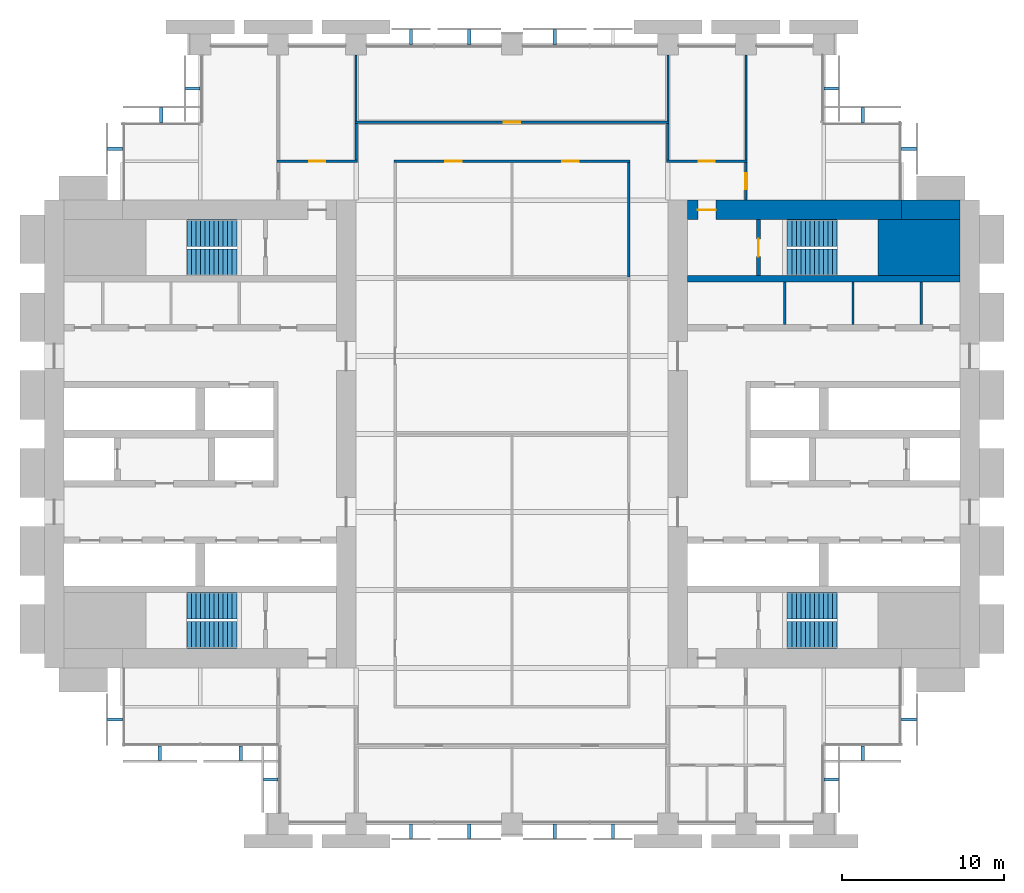
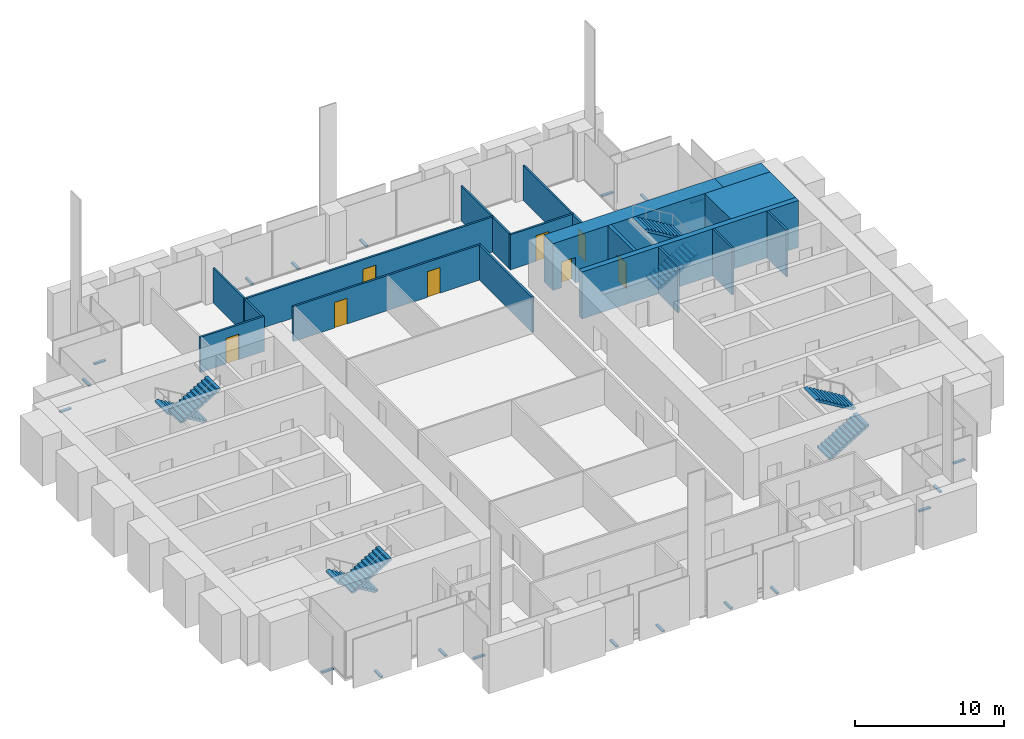
# One storey, part 12 of 14: 20 discrete accessories, 19 walls, 8 doors, 8 stair flights, 8 openings, 4 elements without a shape of their own.
"""IFC4 building model written with IfcOpenShell, lengths in metres."""

from ifc_helpers import new_model, si_unit, direction, frame, frame_2d, origin, origin_2d, place, context, subcontext, project, spatial, polyline, rectangle, outline, extrude, material, layer, layer_set, type_object, element, fill, aggregate, save


model = new_model("IFC4")

# Units and contexts
model_context = context("Model", 3, precision=1e-05, world=origin(), true_north=direction((0.0, 1.0)))
body_context = subcontext(model_context, "Body", "Model", "MODEL_VIEW")
ifc_project = project(units=[si_unit("LENGTHUNIT", "METRE"), si_unit("AREAUNIT", "SQUARE_METRE"), si_unit("VOLUMEUNIT", "CUBIC_METRE"), si_unit("PLANEANGLEUNIT", "RADIAN"), si_unit("MASSUNIT", "GRAM", prefix="KILO")], contexts=[model_context])

# Site, building, storey
site_placement = place(None, origin())
site = spatial("IfcSite", under=ifc_project, at=site_placement, CompositionType="ELEMENT")
building_placement = place(site_placement, origin())
building = spatial("IfcBuilding", under=site, at=building_placement, Name="Baori Bourse Tower", CompositionType="ELEMENT")
storey_placement = place(building_placement, frame((0.0, 0.0, 39.0)))
storey = spatial("IfcBuildingStorey", under=building, at=storey_placement, Name="L07", CompositionType="ELEMENT", Elevation=39.0)

# Walls
ifc_material_1 = material(Name="Concrete f'c 70 MPa", Category="concrete")
wall_type_1 = type_object("IfcWallType", Name="Core corner block f'c 70", PredefinedType="SHEAR", material=ifc_material_1)
wall_1_placement = place(storey_placement, frame((51.35009765625, 35.47509765625, 0.0), z_axis=(0.0, 0.0, 1.0), x_axis=(1.0, 0.0, 0.0)))
element("IfcWall", 1, at=wall_1_placement, inside=storey, type_object=wall_type_1, Name="Core wall E22", PredefinedType="SHEAR", context=body_context, shape_type="SweptSolid", body=[
    extrude(rectangle(XDim=5.0498046875, YDim=3.449951171875, at=frame_2d((2.52490234375, 0.0))), origin(), (0.0, 0.0, 1.0), 3.840087890625),
])
ifc_material_2 = material(Name="Blockwork partition", Category="masonry")
ifc_layer_1 = layer(ifc_material_2, 0.14990234375)
ifc_layer_set_1 = layer_set([ifc_layer_1], Name="Core partition 150")
wall_type_2 = type_object("IfcWallType", Name="Core partition 150", PredefinedType="PARTITIONING", material=ifc_layer_set_1)
for number, where, z_axis, x_axis, name in (
    (2, (54.0, 30.75, 0.0), (0.0, 0.0, 1.0), (0.0, 1.0, 0.0), "Partition wall E18"),
    (3, (49.800048828125, 30.75, 0.0), (0.0, 0.0, 1.0), (0.0, 1.0, 0.0), "Partition wall E19"),
    (4, (45.60009765625, 30.75, 0.0), (0.0, 0.0, 1.0), (0.0, 1.0, 0.0), "Partition wall E20"),
):
    element("IfcWall", number, at=place(storey_placement, frame(where, z_axis=z_axis, x_axis=x_axis)), inside=storey, type_object=wall_type_2, Name=name, PredefinedType="PARTITIONING", context=body_context, shape_type="SweptSolid", body=[
        extrude(rectangle(XDim=2.60009765625, YDim=0.14990234375, at=frame_2d((1.300048828125, 0.0))), origin(), (0.0, 0.0, 1.0), 3.840087890625),
    ])
ifc_material_3 = material(Name="Concrete f'c 70 MPa", Category="concrete")
ifc_layer_2 = layer(ifc_material_3, 1.199951171875)
ifc_layer_set_2 = layer_set([ifc_layer_2], Name="Core wall 1200 f'c 70")
wall_type_3 = type_object("IfcWallType", Name="Core wall 1200 f'c 70", PredefinedType="SHEAR", material=ifc_layer_set_2)
wall_2_placement = place(storey_placement, frame((52.800048828125, 37.800048828125, 0.0), z_axis=(0.0, 0.0, 1.0), x_axis=(1.0, 0.0, 0.0)))
element("IfcWall", 5, at=wall_2_placement, inside=storey, type_object=wall_type_3, Name="Core wall E24", PredefinedType="SHEAR", context=body_context, shape_type="SweptSolid", body=[
    extrude(rectangle(XDim=3.599853515625, YDim=1.199951171875, at=frame_2d((1.7998046875, 0.0))), origin(), (0.0, 0.0, 1.0), 3.840087890625),
])

# Wall, opening, door
wall_3_placement = place(storey_placement, frame((39.60009765625, 37.800048828125, 0.0), z_axis=(0.0, 0.0, 1.0), x_axis=(1.0, 0.0, 0.0)))
wall_3 = element("IfcWall", 6, at=wall_3_placement, inside=storey, type_object=wall_type_3, Name="Core wall E25", PredefinedType="SHEAR", context=body_context, shape_type="SweptSolid", body=[
    extrude(rectangle(XDim=13.199951171875, YDim=1.199951171875, at=frame_2d((6.60009765625, 0.0))), origin(), (0.0, 0.0, 1.0), 3.840087890625),
])
opening_1_placement = place(wall_3_placement, frame((0.64990234375, 0.0, 0.0)))
opening_1 = element("IfcOpeningElement", 7, at=opening_1_placement, cuts=wall_3, Name="Opening L07-D204", PredefinedType="OPENING", context=body_context, shape_type="SweptSolid", body=[
    extrude(rectangle(XDim=1.10009765625, YDim=2.10009765625, at=frame_2d((0.550048828125, 1.050048828125))), frame((0.0, 0.60986328125, 0.0), z_axis=(0.0, -1.0, 0.0), x_axis=(1.0, 0.0, 0.0)), (0.0, 0.0, 1.0), 1.219970703125),
])
ifc_material_4 = material(Name="Painted steel door", Category="steel")
door_type_1 = type_object("IfcDoorType", Name="Stair door 1100", OperationType="SINGLE_SWING_LEFT", PredefinedType="DOOR", material=ifc_material_4)
door_1_placement = place(opening_1_placement, origin())
door_1 = element("IfcDoor", 8, at=door_1_placement, inside=storey, type_object=door_type_1, Name="Stair vestibule door B E L07", OperationType="SINGLE_SWING_LEFT", OverallHeight=2.10009765625, OverallWidth=1.10009765625, PredefinedType="DOOR", context=body_context, shape_type="SweptSolid", body=[
    extrude(rectangle(XDim=1.10009765625, YDim=2.10009765625, at=frame_2d((0.550048828125, 1.050048828125))), frame((0.0, 0.02490234375, 0.0), z_axis=(0.0, -1.0, 0.0), x_axis=(1.0, 0.0, 0.0)), (0.0, 0.0, 1.0), 0.050048828125),
])
fill(opening_1, door_1)

ifc_material_5 = material(Name="Gypsum board partition")
ifc_layer_3 = layer(ifc_material_5, 0.14990234375)
ifc_layer_set_3 = layer_set([ifc_layer_3], Name="Corridor partition 150")
wall_type_4 = type_object("IfcWallType", Name="Corridor partition 150", PredefinedType="PARTITIONING", material=ifc_layer_set_3)
wall_4_placement = place(storey_placement, frame((14.324951171875, 40.800048828125, 0.0), z_axis=(0.0, 0.0, 1.0), x_axis=(1.0, 0.0, 0.0)))
wall_4 = element("IfcWall", 9, at=wall_4_placement, inside=storey, type_object=wall_type_4, Name="Partition", PredefinedType="PARTITIONING", context=body_context, shape_type="SweptSolid", body=[
    extrude(rectangle(XDim=4.949951171875, YDim=0.14990234375, at=frame_2d((2.47509765625, 0.0))), origin(), (0.0, 0.0, 1.0), 2.86962890625),
])
opening_2_placement = place(wall_4_placement, frame((1.97509765625, 0.0, 0.0)))
opening_2 = element("IfcOpeningElement", 10, at=opening_2_placement, cuts=wall_4, Name="Opening L07-D08", PredefinedType="OPENING", context=body_context, shape_type="SweptSolid", body=[
    extrude(rectangle(XDim=1.0, YDim=2.10009765625, at=frame_2d((0.5, 1.050048828125))), frame((0.0, 0.0849609375, 0.0), z_axis=(0.0, -1.0, 0.0), x_axis=(1.0, 0.0, 0.0)), (0.0, 0.0, 1.0), 0.169921875),
])
ifc_material_6 = material(Name="Timber door leaf", Category="wood")
door_type_2 = type_object("IfcDoorType", Name="Door 1000 x 2100", OperationType="SINGLE_SWING_LEFT", PredefinedType="DOOR", material=ifc_material_6)
door_2_placement = place(opening_2_placement, origin())
door_2 = element("IfcDoor", 11, at=door_2_placement, inside=storey, type_object=door_type_2, Name="Door", OperationType="SINGLE_SWING_LEFT", OverallHeight=2.10009765625, OverallWidth=1.0, PredefinedType="DOOR", context=body_context, shape_type="SweptSolid", body=[
    extrude(rectangle(XDim=1.0, YDim=2.10009765625, at=frame_2d((0.5, 1.050048828125))), frame((0.0, 0.02490234375, 0.0), z_axis=(0.0, -1.0, 0.0), x_axis=(1.0, 0.0, 0.0)), (0.0, 0.0, 1.0), 0.050048828125),
])
fill(opening_2, door_2)

# Wall, openings, doors
wall_5_placement = place(storey_placement, frame((21.52490234375, 40.800048828125, 0.0), z_axis=(0.0, 0.0, 1.0), x_axis=(1.0, 0.0, 0.0)))
wall_5 = element("IfcWall", 12, at=wall_5_placement, inside=storey, type_object=wall_type_4, Name="Partition", PredefinedType="PARTITIONING", context=body_context, shape_type="SweptSolid", body=[
    extrude(rectangle(XDim=14.550048828125, YDim=0.14990234375, at=frame_2d((7.27490234375, 0.0))), origin(), (0.0, 0.0, 1.0), 2.86962890625),
])
opening_3_placement = place(wall_5_placement, frame((3.175048828125, 0.0, 0.0)))
opening_3 = element("IfcOpeningElement", 13, at=opening_3_placement, cuts=wall_5, Name="Opening L07-D09", PredefinedType="OPENING", context=body_context, shape_type="SweptSolid", body=[
    extrude(rectangle(XDim=1.0, YDim=2.10009765625, at=frame_2d((0.5, 1.050048828125))), frame((0.0, 0.0849609375, 0.0), z_axis=(0.0, -1.0, 0.0), x_axis=(1.0, 0.0, 0.0)), (0.0, 0.0, 1.0), 0.169921875),
])
opening_4_placement = place(wall_5_placement, frame((10.375, 0.0, 0.0)))
opening_4 = element("IfcOpeningElement", 14, at=opening_4_placement, cuts=wall_5, Name="Opening L07-D10", PredefinedType="OPENING", context=body_context, shape_type="SweptSolid", body=[
    extrude(rectangle(XDim=1.0, YDim=2.10009765625, at=frame_2d((0.5, 1.050048828125))), frame((0.0, 0.0849609375, 0.0), z_axis=(0.0, -1.0, 0.0), x_axis=(1.0, 0.0, 0.0)), (0.0, 0.0, 1.0), 0.169921875),
])
door_3_placement = place(opening_3_placement, origin())
door_3 = element("IfcDoor", 15, at=door_3_placement, inside=storey, type_object=door_type_2, Name="Door", OperationType="SINGLE_SWING_LEFT", OverallHeight=2.10009765625, OverallWidth=1.0, PredefinedType="DOOR", context=body_context, shape_type="SweptSolid", body=[
    extrude(rectangle(XDim=1.0, YDim=2.10009765625, at=frame_2d((0.5, 1.050048828125))), frame((0.0, 0.02490234375, 0.0), z_axis=(0.0, -1.0, 0.0), x_axis=(1.0, 0.0, 0.0)), (0.0, 0.0, 1.0), 0.050048828125),
])
fill(opening_3, door_3)
door_4_placement = place(opening_4_placement, origin())
door_4 = element("IfcDoor", 16, at=door_4_placement, inside=storey, type_object=door_type_2, Name="Door", OperationType="SINGLE_SWING_RIGHT", OverallHeight=2.10009765625, OverallWidth=1.0, PredefinedType="DOOR", context=body_context, shape_type="SweptSolid", body=[
    extrude(rectangle(XDim=1.0, YDim=2.10009765625, at=frame_2d((0.5, 1.050048828125))), frame((0.0, 0.02490234375, 0.0), z_axis=(0.0, -1.0, 0.0), x_axis=(1.0, 0.0, 0.0)), (0.0, 0.0, 1.0), 0.050048828125),
])
fill(opening_4, door_4)

# Wall, opening, door
wall_6_placement = place(storey_placement, frame((38.324951171875, 40.800048828125, 0.0), z_axis=(0.0, 0.0, 1.0), x_axis=(1.0, 0.0, 0.0)))
wall_6 = element("IfcWall", 17, at=wall_6_placement, inside=storey, type_object=wall_type_4, Name="Partition", PredefinedType="PARTITIONING", context=body_context, shape_type="SweptSolid", body=[
    extrude(rectangle(XDim=4.949951171875, YDim=0.14990234375, at=frame_2d((2.47509765625, 0.0))), origin(), (0.0, 0.0, 1.0), 2.86962890625),
])
opening_5_placement = place(wall_6_placement, frame((1.97509765625, 0.0, 0.0)))
opening_5 = element("IfcOpeningElement", 18, at=opening_5_placement, cuts=wall_6, Name="Opening L07-D11", PredefinedType="OPENING", context=body_context, shape_type="SweptSolid", body=[
    extrude(rectangle(XDim=1.0, YDim=2.10009765625, at=frame_2d((0.5, 1.050048828125))), frame((0.0, 0.0849609375, 0.0), z_axis=(0.0, -1.0, 0.0), x_axis=(1.0, 0.0, 0.0)), (0.0, 0.0, 1.0), 0.169921875),
])
door_5_placement = place(opening_5_placement, origin())
door_5 = element("IfcDoor", 19, at=door_5_placement, inside=storey, type_object=door_type_2, Name="Door", OperationType="SINGLE_SWING_RIGHT", OverallHeight=2.10009765625, OverallWidth=1.0, PredefinedType="DOOR", context=body_context, shape_type="SweptSolid", body=[
    extrude(rectangle(XDim=1.0, YDim=2.10009765625, at=frame_2d((0.5, 1.050048828125))), frame((0.0, 0.02490234375, 0.0), z_axis=(0.0, -1.0, 0.0), x_axis=(1.0, 0.0, 0.0)), (0.0, 0.0, 1.0), 0.050048828125),
])
fill(opening_5, door_5)

wall_7_placement = place(storey_placement, frame((19.125, 43.199951171875, 0.0), z_axis=(0.0, 0.0, 1.0), x_axis=(1.0, 0.0, 0.0)))
wall_7 = element("IfcWall", 20, at=wall_7_placement, inside=storey, type_object=wall_type_4, Name="Partition", PredefinedType="PARTITIONING", context=body_context, shape_type="SweptSolid", body=[
    extrude(rectangle(XDim=19.35009765625, YDim=0.14990234375, at=frame_2d((9.675048828125, 0.0))), origin(), (0.0, 0.0, 1.0), 2.86962890625),
])
opening_6_placement = place(wall_7_placement, frame((9.175048828125, 0.0, 0.0)))
opening_6 = element("IfcOpeningElement", 21, at=opening_6_placement, cuts=wall_7, Name="Opening L07-D12", PredefinedType="OPENING", context=body_context, shape_type="SweptSolid", body=[
    extrude(rectangle(XDim=1.0, YDim=2.10009765625, at=frame_2d((0.5, 1.050048828125))), frame((0.0, 0.0849609375, 0.0), z_axis=(0.0, -1.0, 0.0), x_axis=(1.0, 0.0, 0.0)), (0.0, 0.0, 1.0), 0.169921875),
])
door_6_placement = place(opening_6_placement, origin())
door_6 = element("IfcDoor", 22, at=door_6_placement, inside=storey, type_object=door_type_2, Name="Door", OperationType="SINGLE_SWING_RIGHT", OverallHeight=2.10009765625, OverallWidth=1.0, PredefinedType="DOOR", context=body_context, shape_type="SweptSolid", body=[
    extrude(rectangle(XDim=1.0, YDim=2.10009765625, at=frame_2d((0.5, 1.050048828125))), frame((0.0, 0.02490234375, 0.0), z_axis=(0.0, -1.0, 0.0), x_axis=(1.0, 0.0, 0.0)), (0.0, 0.0, 1.0), 0.050048828125),
])
fill(opening_6, door_6)

# Walls
wall_8_placement = place(storey_placement, frame((19.199951171875, 40.875, 0.0), z_axis=(0.0, 0.0, 1.0), x_axis=(0.0, 1.0, 0.0)))
element("IfcWall", 23, at=wall_8_placement, inside=storey, type_object=wall_type_4, Name="Partition", PredefinedType="PARTITIONING", context=body_context, shape_type="SweptSolid", body=[
    extrude(rectangle(XDim=2.25, YDim=0.14990234375, at=frame_2d((1.125, 0.0))), origin(), (0.0, 0.0, 1.0), 2.86962890625),
])
wall_9_placement = place(storey_placement, frame((36.0, 33.66259765625, 0.0), z_axis=(0.0, 0.0, 1.0), x_axis=(0.0, 1.0, 0.0)))
element("IfcWall", 24, at=wall_9_placement, inside=storey, type_object=wall_type_4, Name="Partition", PredefinedType="PARTITIONING", context=body_context, shape_type="SweptSolid", body=[
    extrude(rectangle(XDim=7.0625, YDim=0.14990234375, at=frame_2d((3.53125, 0.0))), origin(), (0.0, 0.0, 1.0), 2.86962890625),
])
wall_10_placement = place(storey_placement, frame((38.39990234375, 40.875, 0.0), z_axis=(0.0, 0.0, 1.0), x_axis=(0.0, 1.0, 0.0)))
element("IfcWall", 25, at=wall_10_placement, inside=storey, type_object=wall_type_4, Name="Partition", PredefinedType="PARTITIONING", context=body_context, shape_type="SweptSolid", body=[
    extrude(rectangle(XDim=2.25, YDim=0.14990234375, at=frame_2d((1.125, 0.0))), origin(), (0.0, 0.0, 1.0), 2.86962890625),
])

# Wall, opening, door
wall_11_placement = place(storey_placement, frame((43.199951171875, 38.39990234375, 0.0), z_axis=(0.0, 0.0, 1.0), x_axis=(0.0, 1.0, 0.0)))
wall_11 = element("IfcWall", 26, at=wall_11_placement, inside=storey, type_object=wall_type_4, Name="Partition", PredefinedType="PARTITIONING", context=body_context, shape_type="SweptSolid", body=[
    extrude(rectangle(XDim=2.3251953125, YDim=0.14990234375, at=frame_2d((1.16259765625, 0.0))), origin(), (0.0, 0.0, 1.0), 2.86962890625),
])
opening_7_placement = place(wall_11_placement, frame((0.66259765625, 0.0, 0.0)))
opening_7 = element("IfcOpeningElement", 27, at=opening_7_placement, cuts=wall_11, Name="Opening L07-D21", PredefinedType="OPENING", context=body_context, shape_type="SweptSolid", body=[
    extrude(rectangle(XDim=1.0, YDim=2.10009765625, at=frame_2d((0.5, 1.050048828125))), frame((0.0, 0.0849609375, 0.0), z_axis=(0.0, -1.0, 0.0), x_axis=(1.0, 0.0, 0.0)), (0.0, 0.0, 1.0), 0.169921875),
])
door_7_placement = place(opening_7_placement, origin())
door_7 = element("IfcDoor", 28, at=door_7_placement, inside=storey, type_object=door_type_2, Name="Door", OperationType="SINGLE_SWING_LEFT", OverallHeight=2.10009765625, OverallWidth=1.0, PredefinedType="DOOR", context=body_context, shape_type="SweptSolid", body=[
    extrude(rectangle(XDim=1.0, YDim=2.10009765625, at=frame_2d((0.5, 1.050048828125))), frame((0.0, 0.02490234375, 0.0), z_axis=(0.0, -1.0, 0.0), x_axis=(1.0, 0.0, 0.0)), (0.0, 0.0, 1.0), 0.050048828125),
])
fill(opening_7, door_7)

# Walls
ifc_material_7 = material(Name="Gypsum board partition")
ifc_layer_4 = layer(ifc_material_7, 0.125)
ifc_layer_set_4 = layer_set([ifc_layer_4], Name="Partition 125")
wall_type_5 = type_object("IfcWallType", Name="Partition 125", PredefinedType="PARTITIONING", material=ifc_layer_set_4)
for number, where, z_axis, x_axis, name in (
    (29, (19.199951171875, 43.27490234375, 0.0), (0.0, 0.0, 1.0), (0.0, 1.0, 0.0), "Partition"),
    (30, (38.39990234375, 43.27490234375, 0.0), (0.0, 0.0, 1.0), (0.0, 1.0, 0.0), "Partition"),
):
    element("IfcWall", number, at=place(storey_placement, frame(where, z_axis=z_axis, x_axis=x_axis)), inside=storey, type_object=wall_type_5, Name=name, PredefinedType="PARTITIONING", context=body_context, shape_type="SweptSolid", body=[
        extrude(rectangle(XDim=4.0751953125, YDim=0.125, at=frame_2d((2.03759765625, 0.0))), origin(), (0.0, 0.0, 1.0), 2.86962890625),
    ])
wall_12_placement = place(storey_placement, frame((43.199951171875, 40.875, 0.0), z_axis=(0.0, 0.0, 1.0), x_axis=(0.0, 1.0, 0.0)))
element("IfcWall", 31, at=wall_12_placement, inside=storey, type_object=wall_type_5, Name="Partition", PredefinedType="PARTITIONING", context=body_context, shape_type="SweptSolid", body=[
    extrude(rectangle(XDim=6.47509765625, YDim=0.125, at=frame_2d((3.237548828125, 0.0))), origin(), (0.0, 0.0, 1.0), 2.86962890625),
])

# Wall, opening, door
ifc_material_8 = material(Name="Concrete f'c 70 MPa", Category="concrete")
ifc_layer_5 = layer(ifc_material_8, 0.25)
ifc_layer_set_5 = layer_set([ifc_layer_5], Name="Shaft wall 250 f'c 70")
wall_type_6 = type_object("IfcWallType", Name="Shaft wall 250 f'c 70", PredefinedType="SHEAR", material=ifc_layer_set_5)
wall_13_placement = place(storey_placement, frame((43.97509765625, 33.75, 0.0), z_axis=(0.0, 0.0, 1.0), x_axis=(0.0, 1.0, 0.0)))
wall_13 = element("IfcWall", 32, at=wall_13_placement, inside=storey, type_object=wall_type_6, Name="Core wall E23", PredefinedType="SHEAR", context=body_context, shape_type="SweptSolid", body=[
    extrude(rectangle(XDim=3.449951171875, YDim=0.25, at=frame_2d((1.72509765625, 0.0))), origin(), (0.0, 0.0, 1.0), 3.840087890625),
])
opening_8_placement = place(wall_13_placement, frame((1.175048828125, 0.0, 0.0)))
opening_8 = element("IfcOpeningElement", 33, at=opening_8_placement, cuts=wall_13, Name="Opening L07-D203", PredefinedType="OPENING", context=body_context, shape_type="SweptSolid", body=[
    extrude(rectangle(XDim=1.10009765625, YDim=2.10009765625, at=frame_2d((0.550048828125, 1.050048828125))), frame((0.0, 0.135009765625, 0.0), z_axis=(0.0, -1.0, 0.0), x_axis=(1.0, 0.0, 0.0)), (0.0, 0.0, 1.0), 0.27001953125),
])
door_8_placement = place(opening_8_placement, origin())
door_8 = element("IfcDoor", 34, at=door_8_placement, inside=storey, type_object=door_type_1, Name="Stair door B E L07", OperationType="SINGLE_SWING_LEFT", OverallHeight=2.10009765625, OverallWidth=1.10009765625, PredefinedType="DOOR", context=body_context, shape_type="SweptSolid", body=[
    extrude(rectangle(XDim=1.10009765625, YDim=2.10009765625, at=frame_2d((0.550048828125, 1.050048828125))), frame((0.0, 0.02490234375, 0.0), z_axis=(0.0, -1.0, 0.0), x_axis=(1.0, 0.0, 0.0)), (0.0, 0.0, 1.0), 0.050048828125),
])
fill(opening_8, door_8)

# Wall
ifc_material_9 = material(Name="Concrete f'c 70 MPa", Category="concrete")
ifc_layer_6 = layer(ifc_material_9, 0.39990234375)
ifc_layer_set_6 = layer_set([ifc_layer_6], Name="Shaft wall 400 f'c 70")
wall_type_7 = type_object("IfcWallType", Name="Shaft wall 400 f'c 70", PredefinedType="SHEAR", material=ifc_layer_set_6)
wall_14_placement = place(storey_placement, frame((39.60009765625, 33.550048828125, 0.0), z_axis=(0.0, 0.0, 1.0), x_axis=(1.0, 0.0, 0.0)))
element("IfcWall", 35, at=wall_14_placement, inside=storey, type_object=wall_type_7, Name="Core wall E21", PredefinedType="SHEAR", context=body_context, shape_type="SweptSolid", body=[
    extrude(rectangle(XDim=16.7998046875, YDim=0.39990234375, at=frame_2d((8.39990234375, 0.0))), origin(), (0.0, 0.0, 1.0), 3.840087890625),
])

# Stair, stair flights
ifc_material_10 = material(Name="Concrete f'c 50 MPa", Category="concrete")
stair_type = type_object("IfcStairType", Name="Core stair", PredefinedType="HALF_TURN_STAIR", material=ifc_material_10)
stair_1_placement = place(storey_placement, origin())
stair_1 = element("IfcStair", 36, at=stair_1_placement, inside=storey, type_object=stair_type, Name="L07 Stair WA", PredefinedType="HALF_TURN_STAIR")
ifc_material_11 = material(Name="Concrete f'c 50 MPa", Category="concrete")
stair_flight_type = type_object("IfcStairFlightType", Name="Core stair flight", PredefinedType="STRAIGHT", material=ifc_material_11)
stair_flight_1_placement = place(storey_placement, frame((11.85009765625, 13.425048828125, 0.0), z_axis=(0.0, 0.0, 1.0), x_axis=(-1.0, 0.0, 0.0)))
stair_flight_1 = element("IfcStairFlight", 37, at=stair_flight_1_placement, type_object=stair_flight_type, Name="ST1 flight 1", NumberOfRisers=12, NumberOfTreads=11, PredefinedType="STRAIGHT", RiserHeight=0.166666667, TreadLength=0.28, context=body_context, shape_type="SweptSolid", body=[
    extrude(outline(polyline([(0.0, 0.0), (0.0, 0.166748046875), (0.280029296875, 0.166748046875), (0.280029296875, 0.333251953125), (0.56005859375, 0.333251953125), (0.56005859375, 0.5), (0.840087890625, 0.5), (0.840087890625, 0.666748046875), (1.1201171875, 0.666748046875), (1.1201171875, 0.833251953125), (1.39990234375, 0.833251953125), (1.39990234375, 1.0), (1.679931640625, 1.0), (1.679931640625, 1.166748046875), (1.9599609375, 1.166748046875), (1.9599609375, 1.333251953125), (2.239990234375, 1.333251953125), (2.239990234375, 1.5), (2.52001953125, 1.5), (2.52001953125, 1.666748046875), (2.800048828125, 1.666748046875), (2.800048828125, 1.833251953125), (3.080078125, 1.833251953125), (3.080078125, 2.0), (3.080078125, 1.658935546875), (0.29296875, 0.0), (0.0, 0.0)])), frame((0.0, 0.824951171875, 0.0), z_axis=(0.0, -1.0, 0.0), x_axis=(1.0, 0.0, 0.0)), (0.0, 0.0, 1.0), 1.64990234375),
])
stair_flight_2_placement = place(storey_placement, frame((8.77001953125, 11.625, 2.0), z_axis=(0.0, 0.0, 1.0), x_axis=(1.0, 0.0, 0.0)))
stair_flight_2 = element("IfcStairFlight", 38, at=stair_flight_2_placement, type_object=stair_flight_type, Name="ST1 flight 2", NumberOfRisers=12, NumberOfTreads=11, PredefinedType="STRAIGHT", RiserHeight=0.166666667, TreadLength=0.28, context=body_context, shape_type="SweptSolid", body=[
    extrude(outline(polyline([(0.0, 0.0), (0.0, 0.166748046875), (0.280029296875, 0.166748046875), (0.280029296875, 0.333251953125), (0.56005859375, 0.333251953125), (0.56005859375, 0.5), (0.840087890625, 0.5), (0.840087890625, 0.666748046875), (1.1201171875, 0.666748046875), (1.1201171875, 0.833251953125), (1.39990234375, 0.833251953125), (1.39990234375, 1.0), (1.679931640625, 1.0), (1.679931640625, 1.166748046875), (1.9599609375, 1.166748046875), (1.9599609375, 1.333251953125), (2.239990234375, 1.333251953125), (2.239990234375, 1.5), (2.52001953125, 1.5), (2.52001953125, 1.666748046875), (2.800048828125, 1.666748046875), (2.800048828125, 1.833251953125), (3.080078125, 1.833251953125), (3.080078125, 2.0), (3.080078125, 1.658935546875), (0.29296875, 0.0), (0.0, 0.0)])), frame((0.0, 0.824951171875, 0.0), z_axis=(0.0, -1.0, 0.0), x_axis=(1.0, 0.0, 0.0)), (0.0, 0.0, 1.0), 1.64990234375),
])
aggregate(stair_1, [stair_flight_1, stair_flight_2])

stair_2_placement = place(storey_placement, origin())
stair_2 = element("IfcStair", 39, at=stair_2_placement, inside=storey, type_object=stair_type, Name="L07 Stair WB", PredefinedType="HALF_TURN_STAIR")
stair_flight_3_placement = place(storey_placement, frame((11.85009765625, 36.375, 0.0), z_axis=(0.0, 0.0, 1.0), x_axis=(-1.0, 0.0, 0.0)))
stair_flight_3 = element("IfcStairFlight", 40, at=stair_flight_3_placement, type_object=stair_flight_type, Name="ST2 flight 1", NumberOfRisers=12, NumberOfTreads=11, PredefinedType="STRAIGHT", RiserHeight=0.166666667, TreadLength=0.28, context=body_context, shape_type="SweptSolid", body=[
    extrude(outline(polyline([(0.0, 0.0), (0.0, 0.166748046875), (0.280029296875, 0.166748046875), (0.280029296875, 0.333251953125), (0.56005859375, 0.333251953125), (0.56005859375, 0.5), (0.840087890625, 0.5), (0.840087890625, 0.666748046875), (1.1201171875, 0.666748046875), (1.1201171875, 0.833251953125), (1.39990234375, 0.833251953125), (1.39990234375, 1.0), (1.679931640625, 1.0), (1.679931640625, 1.166748046875), (1.9599609375, 1.166748046875), (1.9599609375, 1.333251953125), (2.239990234375, 1.333251953125), (2.239990234375, 1.5), (2.52001953125, 1.5), (2.52001953125, 1.666748046875), (2.800048828125, 1.666748046875), (2.800048828125, 1.833251953125), (3.080078125, 1.833251953125), (3.080078125, 2.0), (3.080078125, 1.658935546875), (0.29296875, 0.0), (0.0, 0.0)])), frame((0.0, 0.824951171875, 0.0), z_axis=(0.0, -1.0, 0.0), x_axis=(1.0, 0.0, 0.0)), (0.0, 0.0, 1.0), 1.64990234375),
])
stair_flight_4_placement = place(storey_placement, frame((8.77001953125, 34.574951171875, 2.0), z_axis=(0.0, 0.0, 1.0), x_axis=(1.0, 0.0, 0.0)))
stair_flight_4 = element("IfcStairFlight", 41, at=stair_flight_4_placement, type_object=stair_flight_type, Name="ST2 flight 2", NumberOfRisers=12, NumberOfTreads=11, PredefinedType="STRAIGHT", RiserHeight=0.166666667, TreadLength=0.28, context=body_context, shape_type="SweptSolid", body=[
    extrude(outline(polyline([(0.0, 0.0), (0.0, 0.166748046875), (0.280029296875, 0.166748046875), (0.280029296875, 0.333251953125), (0.56005859375, 0.333251953125), (0.56005859375, 0.5), (0.840087890625, 0.5), (0.840087890625, 0.666748046875), (1.1201171875, 0.666748046875), (1.1201171875, 0.833251953125), (1.39990234375, 0.833251953125), (1.39990234375, 1.0), (1.679931640625, 1.0), (1.679931640625, 1.166748046875), (1.9599609375, 1.166748046875), (1.9599609375, 1.333251953125), (2.239990234375, 1.333251953125), (2.239990234375, 1.5), (2.52001953125, 1.5), (2.52001953125, 1.666748046875), (2.800048828125, 1.666748046875), (2.800048828125, 1.833251953125), (3.080078125, 1.833251953125), (3.080078125, 2.0), (3.080078125, 1.658935546875), (0.29296875, 0.0), (0.0, 0.0)])), frame((0.0, 0.824951171875, 0.0), z_axis=(0.0, -1.0, 0.0), x_axis=(1.0, 0.0, 0.0)), (0.0, 0.0, 1.0), 1.64990234375),
])
aggregate(stair_2, [stair_flight_3, stair_flight_4])

stair_3_placement = place(storey_placement, origin())
stair_3 = element("IfcStair", 42, at=stair_3_placement, inside=storey, type_object=stair_type, Name="L07 Stair EA", PredefinedType="HALF_TURN_STAIR")
stair_flight_5_placement = place(storey_placement, frame((45.75, 11.625, 0.0), z_axis=(0.0, 0.0, 1.0), x_axis=(1.0, 0.0, 0.0)))
stair_flight_5 = element("IfcStairFlight", 43, at=stair_flight_5_placement, type_object=stair_flight_type, Name="ST3 flight 1", NumberOfRisers=12, NumberOfTreads=11, PredefinedType="STRAIGHT", RiserHeight=0.166666667, TreadLength=0.28, context=body_context, shape_type="SweptSolid", body=[
    extrude(outline(polyline([(0.0, 0.0), (0.0, 0.166748046875), (0.280029296875, 0.166748046875), (0.280029296875, 0.333251953125), (0.56005859375, 0.333251953125), (0.56005859375, 0.5), (0.840087890625, 0.5), (0.840087890625, 0.666748046875), (1.1201171875, 0.666748046875), (1.1201171875, 0.833251953125), (1.39990234375, 0.833251953125), (1.39990234375, 1.0), (1.679931640625, 1.0), (1.679931640625, 1.166748046875), (1.9599609375, 1.166748046875), (1.9599609375, 1.333251953125), (2.239990234375, 1.333251953125), (2.239990234375, 1.5), (2.52001953125, 1.5), (2.52001953125, 1.666748046875), (2.800048828125, 1.666748046875), (2.800048828125, 1.833251953125), (3.080078125, 1.833251953125), (3.080078125, 2.0), (3.080078125, 1.658935546875), (0.29296875, 0.0), (0.0, 0.0)])), frame((0.0, 0.824951171875, 0.0), z_axis=(0.0, -1.0, 0.0), x_axis=(1.0, 0.0, 0.0)), (0.0, 0.0, 1.0), 1.64990234375),
])
stair_flight_6_placement = place(storey_placement, frame((48.830078125, 13.425048828125, 2.0), z_axis=(0.0, 0.0, 1.0), x_axis=(-1.0, 0.0, 0.0)))
stair_flight_6 = element("IfcStairFlight", 44, at=stair_flight_6_placement, type_object=stair_flight_type, Name="ST3 flight 2", NumberOfRisers=12, NumberOfTreads=11, PredefinedType="STRAIGHT", RiserHeight=0.166666667, TreadLength=0.28, context=body_context, shape_type="SweptSolid", body=[
    extrude(outline(polyline([(0.0, 0.0), (0.0, 0.166748046875), (0.280029296875, 0.166748046875), (0.280029296875, 0.333251953125), (0.56005859375, 0.333251953125), (0.56005859375, 0.5), (0.840087890625, 0.5), (0.840087890625, 0.666748046875), (1.1201171875, 0.666748046875), (1.1201171875, 0.833251953125), (1.39990234375, 0.833251953125), (1.39990234375, 1.0), (1.679931640625, 1.0), (1.679931640625, 1.166748046875), (1.9599609375, 1.166748046875), (1.9599609375, 1.333251953125), (2.239990234375, 1.333251953125), (2.239990234375, 1.5), (2.52001953125, 1.5), (2.52001953125, 1.666748046875), (2.800048828125, 1.666748046875), (2.800048828125, 1.833251953125), (3.080078125, 1.833251953125), (3.080078125, 2.0), (3.080078125, 1.658935546875), (0.29296875, 0.0), (0.0, 0.0)])), frame((0.0, 0.824951171875, 0.0), z_axis=(0.0, -1.0, 0.0), x_axis=(1.0, 0.0, 0.0)), (0.0, 0.0, 1.0), 1.64990234375),
])
aggregate(stair_3, [stair_flight_5, stair_flight_6])

stair_4_placement = place(storey_placement, origin())
stair_4 = element("IfcStair", 45, at=stair_4_placement, inside=storey, type_object=stair_type, Name="L07 Stair EB", PredefinedType="HALF_TURN_STAIR")
stair_flight_7_placement = place(storey_placement, frame((45.75, 34.574951171875, 0.0), z_axis=(0.0, 0.0, 1.0), x_axis=(1.0, 0.0, 0.0)))
stair_flight_7 = element("IfcStairFlight", 46, at=stair_flight_7_placement, type_object=stair_flight_type, Name="ST4 flight 1", NumberOfRisers=12, NumberOfTreads=11, PredefinedType="STRAIGHT", RiserHeight=0.166666667, TreadLength=0.28, context=body_context, shape_type="SweptSolid", body=[
    extrude(outline(polyline([(0.0, 0.0), (0.0, 0.166748046875), (0.280029296875, 0.166748046875), (0.280029296875, 0.333251953125), (0.56005859375, 0.333251953125), (0.56005859375, 0.5), (0.840087890625, 0.5), (0.840087890625, 0.666748046875), (1.1201171875, 0.666748046875), (1.1201171875, 0.833251953125), (1.39990234375, 0.833251953125), (1.39990234375, 1.0), (1.679931640625, 1.0), (1.679931640625, 1.166748046875), (1.9599609375, 1.166748046875), (1.9599609375, 1.333251953125), (2.239990234375, 1.333251953125), (2.239990234375, 1.5), (2.52001953125, 1.5), (2.52001953125, 1.666748046875), (2.800048828125, 1.666748046875), (2.800048828125, 1.833251953125), (3.080078125, 1.833251953125), (3.080078125, 2.0), (3.080078125, 1.658935546875), (0.29296875, 0.0), (0.0, 0.0)])), frame((0.0, 0.824951171875, 0.0), z_axis=(0.0, -1.0, 0.0), x_axis=(1.0, 0.0, 0.0)), (0.0, 0.0, 1.0), 1.64990234375),
])
stair_flight_8_placement = place(storey_placement, frame((48.830078125, 36.375, 2.0), z_axis=(0.0, 0.0, 1.0), x_axis=(-1.0, 0.0, 0.0)))
stair_flight_8 = element("IfcStairFlight", 47, at=stair_flight_8_placement, type_object=stair_flight_type, Name="ST4 flight 2", NumberOfRisers=12, NumberOfTreads=11, PredefinedType="STRAIGHT", RiserHeight=0.166666667, TreadLength=0.28, context=body_context, shape_type="SweptSolid", body=[
    extrude(outline(polyline([(0.0, 0.0), (0.0, 0.166748046875), (0.280029296875, 0.166748046875), (0.280029296875, 0.333251953125), (0.56005859375, 0.333251953125), (0.56005859375, 0.5), (0.840087890625, 0.5), (0.840087890625, 0.666748046875), (1.1201171875, 0.666748046875), (1.1201171875, 0.833251953125), (1.39990234375, 0.833251953125), (1.39990234375, 1.0), (1.679931640625, 1.0), (1.679931640625, 1.166748046875), (1.9599609375, 1.166748046875), (1.9599609375, 1.333251953125), (2.239990234375, 1.333251953125), (2.239990234375, 1.5), (2.52001953125, 1.5), (2.52001953125, 1.666748046875), (2.800048828125, 1.666748046875), (2.800048828125, 1.833251953125), (3.080078125, 1.833251953125), (3.080078125, 2.0), (3.080078125, 1.658935546875), (0.29296875, 0.0), (0.0, 0.0)])), frame((0.0, 0.824951171875, 0.0), z_axis=(0.0, -1.0, 0.0), x_axis=(1.0, 0.0, 0.0)), (0.0, 0.0, 1.0), 1.64990234375),
])
aggregate(stair_4, [stair_flight_7, stair_flight_8])

# Discrete accessories
ifc_material_12 = material(Name="Pale anodised aluminium", Category="aluminium")
discrete_accessory_type = type_object("IfcDiscreteAccessoryType", Name="OS2 Outer skin bracket", PredefinedType="BRACKET", material=ifc_material_12)
for number, where, z_axis, x_axis, name in (
    (48, (53.25, 41.574951171875, -0.14404296875), (0.0, 0.0, 1.0), (0.0, 1.0, 0.0), "Outer skin bracket L07 1"),
    (49, (50.39990234375, 43.64990234375, -0.14404296875), (0.0, 0.0, 1.0), (-1.0, 0.0, 0.0), "Outer skin bracket L07 2"),
    (50, (48.449951171875, 45.27490234375, -0.14404296875), (0.0, 0.0, 1.0), (0.0, 1.0, 0.0), "Outer skin bracket L07 3"),
    (51, (31.4375, 48.449951171875, -0.14404296875), (0.0, 0.0, 1.0), (-1.0, 0.0, 0.0), "Outer skin bracket L07 5"),
    (52, (26.16259765625, 48.449951171875, -0.14404296875), (0.0, 0.0, 1.0), (-1.0, 0.0, 0.0), "Outer skin bracket L07 6"),
    (53, (22.58740234375, 48.449951171875, -0.14404296875), (0.0, 0.0, 1.0), (-1.0, 0.0, 0.0), "Outer skin bracket L07 7"),
    (54, (9.14990234375, 45.27490234375, -0.14404296875), (0.0, 0.0, 1.0), (0.0, -1.0, 0.0), "Outer skin bracket L07 8"),
    (55, (7.199951171875, 43.64990234375, -0.14404296875), (0.0, 0.0, 1.0), (-1.0, 0.0, 0.0), "Outer skin bracket L07 9"),
    (56, (4.35009765625, 41.574951171875, -0.14404296875), (0.0, 0.0, 1.0), (0.0, -1.0, 0.0), "Outer skin bracket L07 10"),
    (57, (4.35009765625, 6.425048828125, -0.14404296875), (0.0, 0.0, 1.0), (0.0, -1.0, 0.0), "Outer skin bracket L07 11"),
    (58, (7.112548828125, 4.35009765625, -0.14404296875), (0.0, 0.0, 1.0), (1.0, 0.0, 0.0), "Outer skin bracket L07 12"),
    (59, (12.08740234375, 4.35009765625, -0.14404296875), (0.0, 0.0, 1.0), (1.0, 0.0, 0.0), "Outer skin bracket L07 13"),
    (60, (13.949951171875, 2.72509765625, -0.14404296875), (0.0, 0.0, 1.0), (0.0, -1.0, 0.0), "Outer skin bracket L07 14"),
    (61, (22.58740234375, -0.449951171875, -0.14404296875), (0.0, 0.0, 1.0), (1.0, 0.0, 0.0), "Outer skin bracket L07 15"),
    (62, (26.16259765625, -0.449951171875, -0.14404296875), (0.0, 0.0, 1.0), (1.0, 0.0, 0.0), "Outer skin bracket L07 16"),
    (63, (31.4375, -0.449951171875, -0.14404296875), (0.0, 0.0, 1.0), (1.0, 0.0, 0.0), "Outer skin bracket L07 17"),
    (64, (35.012451171875, -0.449951171875, -0.14404296875), (0.0, 0.0, 1.0), (1.0, 0.0, 0.0), "Outer skin bracket L07 18"),
    (65, (48.449951171875, 2.72509765625, -0.14404296875), (0.0, 0.0, 1.0), (0.0, 1.0, 0.0), "Outer skin bracket L07 19"),
    (66, (50.39990234375, 4.35009765625, -0.14404296875), (0.0, 0.0, 1.0), (1.0, 0.0, 0.0), "Outer skin bracket L07 20"),
    (67, (53.25, 6.425048828125, -0.14404296875), (0.0, 0.0, 1.0), (0.0, 1.0, 0.0), "Outer skin bracket L07 21"),
):
    element("IfcDiscreteAccessory", number, at=place(storey_placement, frame(where, z_axis=z_axis, x_axis=x_axis)), inside=storey, type_object=discrete_accessory_type, Name=name, PredefinedType="BRACKET", context=body_context, shape_type="SweptSolid", body=[
        extrude(rectangle(XDim=0.199951171875, YDim=0.89990234375, at=origin_2d()), origin(), (0.0, 0.0, 1.0), 0.1279296875),
    ])

save(model, "model.ifc")
